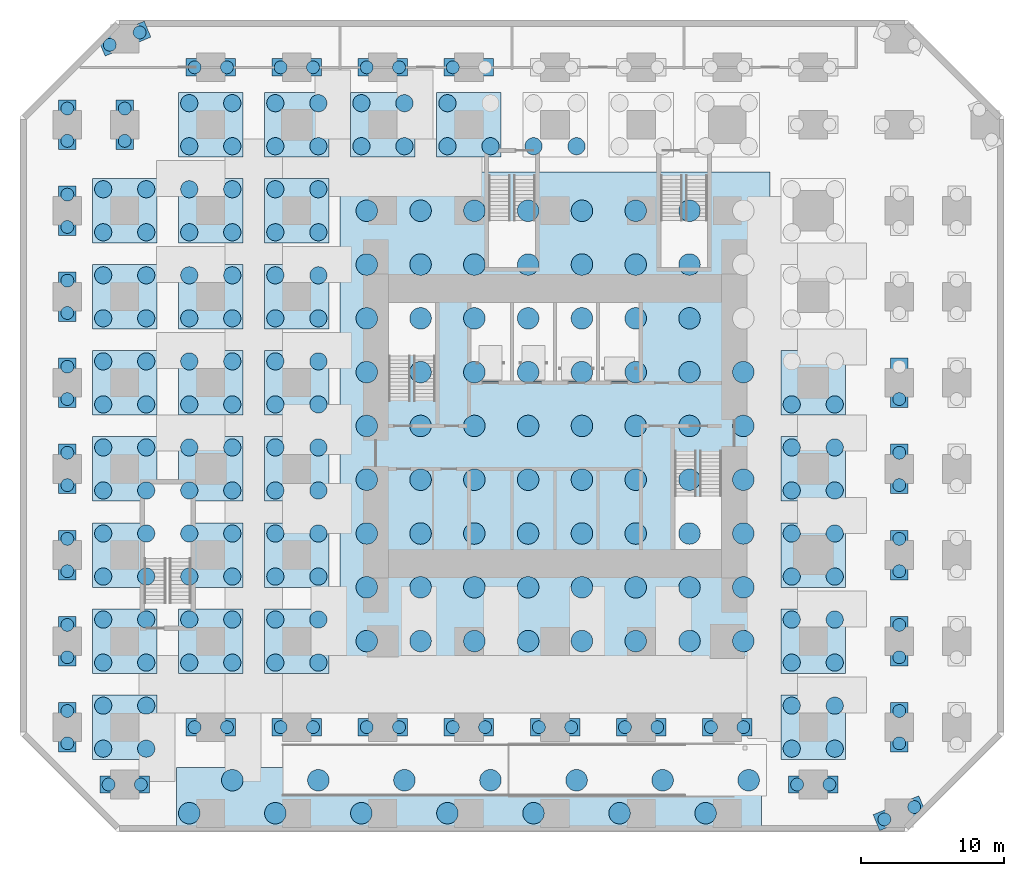
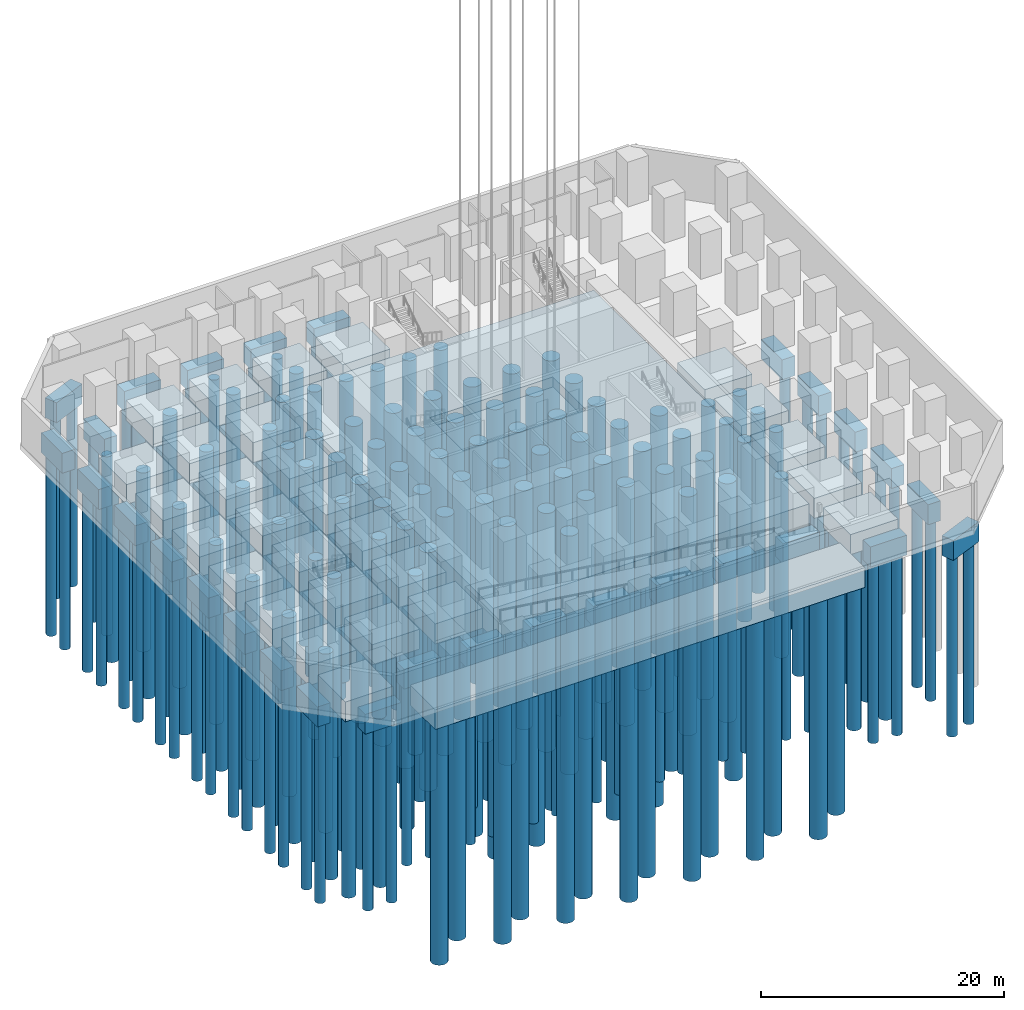
# One storey, part 1 of 11: 250 piles, 59 footings, 1 opening.
"""IFC4 building model written with IfcOpenShell, lengths in metres."""

from ifc_helpers import new_model, si_unit, direction, frame, frame_2d, origin, origin_2d, place, context, subcontext, project, spatial, polyline, rectangle, circle, outline, extrude, material, type_object, element, save


model = new_model("IFC4")

# Units and contexts
model_context = context("Model", 3, precision=1e-05, world=origin(), true_north=direction((0.0, 1.0)))
body_context = subcontext(model_context, "Body", "Model", "MODEL_VIEW")
ifc_project = project(units=[si_unit("LENGTHUNIT", "METRE"), si_unit("AREAUNIT", "SQUARE_METRE"), si_unit("VOLUMEUNIT", "CUBIC_METRE"), si_unit("PLANEANGLEUNIT", "RADIAN"), si_unit("MASSUNIT", "GRAM", prefix="KILO")], contexts=[model_context])

# Site, building, storey
site_placement = place(None, origin())
site = spatial("IfcSite", under=ifc_project, at=site_placement, CompositionType="ELEMENT")
building_placement = place(site_placement, origin())
building = spatial("IfcBuilding", under=site, at=building_placement, Name="Highveld Stack Headquarters", CompositionType="ELEMENT")
storey_placement = place(building_placement, frame((0.0, 0.0, -9.0)))
storey = spatial("IfcBuildingStorey", under=building, at=storey_placement, Name="B2", CompositionType="ELEMENT", Elevation=-9.0)

# Piles
ifc_material_1 = material(Name="Concrete C40/50", Category="concrete")
pile_type_1 = type_object("IfcPileType", Name="BORED PILE D1200", PredefinedType="BORED", material=ifc_material_1)
for number, where, z_axis, x_axis, name in (
    (1, (-25.5, -19.5, -2.5), (0.0, 0.0, -1.0), (1.0, 0.0, 0.0), "Bored pile PC1 2/B 1"),
    (2, (-22.5, -19.5, -2.5), (0.0, 0.0, -1.0), (1.0, 0.0, 0.0), "Bored pile PC1 2/B 2"),
    (3, (-25.5, -16.5, -2.5), (0.0, 0.0, -1.0), (1.0, 0.0, 0.0), "Bored pile PC1 2/B 3"),
    (4, (-22.5, -16.5, -2.5), (0.0, 0.0, -1.0), (1.0, 0.0, 0.0), "Bored pile PC1 2/B 4"),
    (5, (-25.5, -13.5, -2.5), (0.0, 0.0, -1.0), (1.0, 0.0, 0.0), "Bored pile PC1 2/C 1"),
    (6, (-22.5, -13.5, -2.5), (0.0, 0.0, -1.0), (1.0, 0.0, 0.0), "Bored pile PC1 2/C 2"),
    (7, (-25.5, -10.5, -2.5), (0.0, 0.0, -1.0), (1.0, 0.0, 0.0), "Bored pile PC1 2/C 3"),
    (8, (-22.5, -10.5, -2.5), (0.0, 0.0, -1.0), (1.0, 0.0, 0.0), "Bored pile PC1 2/C 4"),
    (9, (-25.5, -7.5, -2.5), (0.0, 0.0, -1.0), (1.0, 0.0, 0.0), "Bored pile PC1 2/D 1"),
    (10, (-22.5, -7.5, -2.5), (0.0, 0.0, -1.0), (1.0, 0.0, 0.0), "Bored pile PC1 2/D 2"),
    (11, (-25.5, -4.5, -2.5), (0.0, 0.0, -1.0), (1.0, 0.0, 0.0), "Bored pile PC1 2/D 3"),
    (12, (-22.5, -4.5, -2.5), (0.0, 0.0, -1.0), (1.0, 0.0, 0.0), "Bored pile PC1 2/D 4"),
    (13, (-25.5, -1.5, -2.5), (0.0, 0.0, -1.0), (1.0, 0.0, 0.0), "Bored pile PC1 2/E 1"),
    (14, (-22.5, -1.5, -2.5), (0.0, 0.0, -1.0), (1.0, 0.0, 0.0), "Bored pile PC1 2/E 2"),
    (15, (-25.5, 1.5, -2.5), (0.0, 0.0, -1.0), (1.0, 0.0, 0.0), "Bored pile PC1 2/E 3"),
    (16, (-22.5, 1.5, -2.5), (0.0, 0.0, -1.0), (1.0, 0.0, 0.0), "Bored pile PC1 2/E 4"),
    (17, (-25.5, 4.5, -2.5), (0.0, 0.0, -1.0), (1.0, 0.0, 0.0), "Bored pile PC1 2/F 1"),
    (18, (-22.5, 4.5, -2.5), (0.0, 0.0, -1.0), (1.0, 0.0, 0.0), "Bored pile PC1 2/F 2"),
    (19, (-25.5, 7.5, -2.5), (0.0, 0.0, -1.0), (1.0, 0.0, 0.0), "Bored pile PC1 2/F 3"),
    (20, (-22.5, 7.5, -2.5), (0.0, 0.0, -1.0), (1.0, 0.0, 0.0), "Bored pile PC1 2/F 4"),
    (21, (-25.5, 10.5, -2.5), (0.0, 0.0, -1.0), (1.0, 0.0, 0.0), "Bored pile PC1 2/G 1"),
    (22, (-22.5, 10.5, -2.5), (0.0, 0.0, -1.0), (1.0, 0.0, 0.0), "Bored pile PC1 2/G 2"),
    (23, (-25.5, 13.5, -2.5), (0.0, 0.0, -1.0), (1.0, 0.0, 0.0), "Bored pile PC1 2/G 3"),
    (24, (-22.5, 13.5, -2.5), (0.0, 0.0, -1.0), (1.0, 0.0, 0.0), "Bored pile PC1 2/G 4"),
    (25, (-25.5, 16.5, -2.5), (0.0, 0.0, -1.0), (1.0, 0.0, 0.0), "Bored pile PC1 2/H 1"),
    (26, (-22.5, 16.5, -2.5), (0.0, 0.0, -1.0), (1.0, 0.0, 0.0), "Bored pile PC1 2/H 2"),
    (27, (-25.5, 19.5, -2.5), (0.0, 0.0, -1.0), (1.0, 0.0, 0.0), "Bored pile PC1 2/H 3"),
    (28, (-22.5, 19.5, -2.5), (0.0, 0.0, -1.0), (1.0, 0.0, 0.0), "Bored pile PC1 2/H 4"),
    (29, (-19.5, -13.5, -2.5), (0.0, 0.0, -1.0), (1.0, 0.0, 0.0), "Bored pile PC1 3/C 1"),
    (30, (-16.5, -13.5, -2.5), (0.0, 0.0, -1.0), (1.0, 0.0, 0.0), "Bored pile PC1 3/C 2"),
    (31, (-19.5, -10.5, -2.5), (0.0, 0.0, -1.0), (1.0, 0.0, 0.0), "Bored pile PC1 3/C 3"),
    (32, (-16.5, -10.5, -2.5), (0.0, 0.0, -1.0), (1.0, 0.0, 0.0), "Bored pile PC1 3/C 4"),
    (33, (-19.5, -7.5, -2.5), (0.0, 0.0, -1.0), (1.0, 0.0, 0.0), "Bored pile PC1 3/D 1"),
    (34, (-16.5, -7.5, -2.5), (0.0, 0.0, -1.0), (1.0, 0.0, 0.0), "Bored pile PC1 3/D 2"),
    (35, (-19.5, -4.5, -2.5), (0.0, 0.0, -1.0), (1.0, 0.0, 0.0), "Bored pile PC1 3/D 3"),
    (36, (-16.5, -4.5, -2.5), (0.0, 0.0, -1.0), (1.0, 0.0, 0.0), "Bored pile PC1 3/D 4"),
    (37, (-19.5, -1.5, -2.5), (0.0, 0.0, -1.0), (1.0, 0.0, 0.0), "Bored pile PC1 3/E 1"),
    (38, (-16.5, -1.5, -2.5), (0.0, 0.0, -1.0), (1.0, 0.0, 0.0), "Bored pile PC1 3/E 2"),
    (39, (-19.5, 1.5, -2.5), (0.0, 0.0, -1.0), (1.0, 0.0, 0.0), "Bored pile PC1 3/E 3"),
    (40, (-16.5, 1.5, -2.5), (0.0, 0.0, -1.0), (1.0, 0.0, 0.0), "Bored pile PC1 3/E 4"),
    (41, (-19.5, 4.5, -2.5), (0.0, 0.0, -1.0), (1.0, 0.0, 0.0), "Bored pile PC1 3/F 1"),
    (42, (-16.5, 4.5, -2.5), (0.0, 0.0, -1.0), (1.0, 0.0, 0.0), "Bored pile PC1 3/F 2"),
    (43, (-19.5, 7.5, -2.5), (0.0, 0.0, -1.0), (1.0, 0.0, 0.0), "Bored pile PC1 3/F 3"),
    (44, (-16.5, 7.5, -2.5), (0.0, 0.0, -1.0), (1.0, 0.0, 0.0), "Bored pile PC1 3/F 4"),
    (45, (-19.5, 10.5, -2.5), (0.0, 0.0, -1.0), (1.0, 0.0, 0.0), "Bored pile PC1 3/G 1"),
    (46, (-16.5, 10.5, -2.5), (0.0, 0.0, -1.0), (1.0, 0.0, 0.0), "Bored pile PC1 3/G 2"),
    (47, (-19.5, 13.5, -2.5), (0.0, 0.0, -1.0), (1.0, 0.0, 0.0), "Bored pile PC1 3/G 3"),
    (48, (-16.5, 13.5, -2.5), (0.0, 0.0, -1.0), (1.0, 0.0, 0.0), "Bored pile PC1 3/G 4"),
    (49, (-19.5, 16.5, -2.5), (0.0, 0.0, -1.0), (1.0, 0.0, 0.0), "Bored pile PC1 3/H 1"),
    (50, (-16.5, 16.5, -2.5), (0.0, 0.0, -1.0), (1.0, 0.0, 0.0), "Bored pile PC1 3/H 2"),
    (51, (-19.5, 19.5, -2.5), (0.0, 0.0, -1.0), (1.0, 0.0, 0.0), "Bored pile PC1 3/H 3"),
    (52, (-16.5, 19.5, -2.5), (0.0, 0.0, -1.0), (1.0, 0.0, 0.0), "Bored pile PC1 3/H 4"),
    (53, (-19.5, 22.5, -2.5), (0.0, 0.0, -1.0), (1.0, 0.0, 0.0), "Bored pile PC1 3/J 1"),
    (54, (-16.5, 22.5, -2.5), (0.0, 0.0, -1.0), (1.0, 0.0, 0.0), "Bored pile PC1 3/J 2"),
    (55, (-19.5, 25.5, -2.5), (0.0, 0.0, -1.0), (1.0, 0.0, 0.0), "Bored pile PC1 3/J 3"),
    (56, (-16.5, 25.5, -2.5), (0.0, 0.0, -1.0), (1.0, 0.0, 0.0), "Bored pile PC1 3/J 4"),
    (57, (-13.5, -13.5, -2.5), (0.0, 0.0, -1.0), (1.0, 0.0, 0.0), "Bored pile PC1 4/C 1"),
    (58, (-10.5, -13.5, -2.5), (0.0, 0.0, -1.0), (1.0, 0.0, 0.0), "Bored pile PC1 4/C 2"),
    (59, (-13.5, -10.5, -2.5), (0.0, 0.0, -1.0), (1.0, 0.0, 0.0), "Bored pile PC1 4/C 3"),
    (60, (-10.5, -10.5, -2.5), (0.0, 0.0, -1.0), (1.0, 0.0, 0.0), "Bored pile PC1 4/C 4"),
    (61, (-13.5, -7.5, -2.5), (0.0, 0.0, -1.0), (1.0, 0.0, 0.0), "Bored pile PC1 4/D 1"),
    (62, (-10.5, -7.5, -2.5), (0.0, 0.0, -1.0), (1.0, 0.0, 0.0), "Bored pile PC1 4/D 2"),
    (63, (-13.5, -4.5, -2.5), (0.0, 0.0, -1.0), (1.0, 0.0, 0.0), "Bored pile PC1 4/D 3"),
    (64, (-10.5, -4.5, -2.5), (0.0, 0.0, -1.0), (1.0, 0.0, 0.0), "Bored pile PC1 4/D 4"),
    (65, (-13.5, -1.5, -2.5), (0.0, 0.0, -1.0), (1.0, 0.0, 0.0), "Bored pile PC1 4/E 1"),
    (66, (-10.5, -1.5, -2.5), (0.0, 0.0, -1.0), (1.0, 0.0, 0.0), "Bored pile PC1 4/E 2"),
    (67, (-13.5, 1.5, -2.5), (0.0, 0.0, -1.0), (1.0, 0.0, 0.0), "Bored pile PC1 4/E 3"),
    (68, (-10.5, 1.5, -2.5), (0.0, 0.0, -1.0), (1.0, 0.0, 0.0), "Bored pile PC1 4/E 4"),
    (69, (-13.5, 4.5, -2.5), (0.0, 0.0, -1.0), (1.0, 0.0, 0.0), "Bored pile PC1 4/F 1"),
    (70, (-10.5, 4.5, -2.5), (0.0, 0.0, -1.0), (1.0, 0.0, 0.0), "Bored pile PC1 4/F 2"),
    (71, (-13.5, 7.5, -2.5), (0.0, 0.0, -1.0), (1.0, 0.0, 0.0), "Bored pile PC1 4/F 3"),
    (72, (-10.5, 7.5, -2.5), (0.0, 0.0, -1.0), (1.0, 0.0, 0.0), "Bored pile PC1 4/F 4"),
    (73, (-13.5, 10.5, -2.5), (0.0, 0.0, -1.0), (1.0, 0.0, 0.0), "Bored pile PC1 4/G 1"),
    (74, (-10.5, 10.5, -2.5), (0.0, 0.0, -1.0), (1.0, 0.0, 0.0), "Bored pile PC1 4/G 2"),
    (75, (-13.5, 13.5, -2.5), (0.0, 0.0, -1.0), (1.0, 0.0, 0.0), "Bored pile PC1 4/G 3"),
    (76, (-10.5, 13.5, -2.5), (0.0, 0.0, -1.0), (1.0, 0.0, 0.0), "Bored pile PC1 4/G 4"),
    (77, (-13.5, 16.5, -2.5), (0.0, 0.0, -1.0), (1.0, 0.0, 0.0), "Bored pile PC1 4/H 1"),
    (78, (-10.5, 16.5, -2.5), (0.0, 0.0, -1.0), (1.0, 0.0, 0.0), "Bored pile PC1 4/H 2"),
    (79, (-13.5, 19.5, -2.5), (0.0, 0.0, -1.0), (1.0, 0.0, 0.0), "Bored pile PC1 4/H 3"),
    (80, (-10.5, 19.5, -2.5), (0.0, 0.0, -1.0), (1.0, 0.0, 0.0), "Bored pile PC1 4/H 4"),
    (81, (-13.5, 22.5, -2.5), (0.0, 0.0, -1.0), (1.0, 0.0, 0.0), "Bored pile PC1 4/J 1"),
    (82, (-10.5, 22.5, -2.5), (0.0, 0.0, -1.0), (1.0, 0.0, 0.0), "Bored pile PC1 4/J 2"),
    (83, (-13.5, 25.5, -2.5), (0.0, 0.0, -1.0), (1.0, 0.0, 0.0), "Bored pile PC1 4/J 3"),
    (84, (-10.5, 25.5, -2.5), (0.0, 0.0, -1.0), (1.0, 0.0, 0.0), "Bored pile PC1 4/J 4"),
    (85, (-7.5, 22.5, -2.5), (0.0, 0.0, -1.0), (1.0, 0.0, 0.0), "Bored pile PC1 5/J 1"),
    (86, (-4.5, 22.5, -2.5), (0.0, 0.0, -1.0), (1.0, 0.0, 0.0), "Bored pile PC1 5/J 2"),
    (87, (-7.5, 25.5, -2.5), (0.0, 0.0, -1.0), (1.0, 0.0, 0.0), "Bored pile PC1 5/J 3"),
    (88, (-4.5, 25.5, -2.5), (0.0, 0.0, -1.0), (1.0, 0.0, 0.0), "Bored pile PC1 5/J 4"),
    (89, (-1.5, 22.5, -2.5), (0.0, 0.0, -1.0), (1.0, 0.0, 0.0), "Bored pile PC1 6/J 1"),
    (90, (1.5, 22.5, -2.5), (0.0, 0.0, -1.0), (1.0, 0.0, 0.0), "Bored pile PC1 6/J 2"),
    (91, (-1.5, 25.5, -2.5), (0.0, 0.0, -1.0), (1.0, 0.0, 0.0), "Bored pile PC1 6/J 3"),
    (92, (4.5, 22.5, -2.5), (0.0, 0.0, -1.0), (1.0, 0.0, 0.0), "Bored pile PC1 7/J 1"),
    (93, (7.5, 22.5, -2.5), (0.0, 0.0, -1.0), (1.0, 0.0, 0.0), "Bored pile PC1 7/J 2"),
    (94, (22.5, -19.5, -2.5), (0.0, 0.0, -1.0), (1.0, 0.0, 0.0), "Bored pile PC1 10/B 1"),
    (95, (25.5, -19.5, -2.5), (0.0, 0.0, -1.0), (1.0, 0.0, 0.0), "Bored pile PC1 10/B 2"),
    (96, (22.5, -16.5, -2.5), (0.0, 0.0, -1.0), (1.0, 0.0, 0.0), "Bored pile PC1 10/B 3"),
    (97, (25.5, -16.5, -2.5), (0.0, 0.0, -1.0), (1.0, 0.0, 0.0), "Bored pile PC1 10/B 4"),
    (98, (22.5, -13.5, -2.5), (0.0, 0.0, -1.0), (1.0, 0.0, 0.0), "Bored pile PC1 10/C 1"),
    (99, (25.5, -13.5, -2.5), (0.0, 0.0, -1.0), (1.0, 0.0, 0.0), "Bored pile PC1 10/C 2"),
    (100, (22.5, -10.5, -2.5), (0.0, 0.0, -1.0), (1.0, 0.0, 0.0), "Bored pile PC1 10/C 3"),
    (101, (25.5, -10.5, -2.5), (0.0, 0.0, -1.0), (1.0, 0.0, 0.0), "Bored pile PC1 10/C 4"),
    (102, (22.5, -7.5, -2.5), (0.0, 0.0, -1.0), (1.0, 0.0, 0.0), "Bored pile PC1 10/D 1"),
    (103, (25.5, -7.5, -2.5), (0.0, 0.0, -1.0), (1.0, 0.0, 0.0), "Bored pile PC1 10/D 2"),
    (104, (22.5, -4.5, -2.5), (0.0, 0.0, -1.0), (1.0, 0.0, 0.0), "Bored pile PC1 10/D 3"),
    (105, (25.5, -4.5, -2.5), (0.0, 0.0, -1.0), (1.0, 0.0, 0.0), "Bored pile PC1 10/D 4"),
    (106, (22.5, -1.5, -2.5), (0.0, 0.0, -1.0), (1.0, 0.0, 0.0), "Bored pile PC1 10/E 1"),
    (107, (25.5, -1.5, -2.5), (0.0, 0.0, -1.0), (1.0, 0.0, 0.0), "Bored pile PC1 10/E 2"),
    (108, (22.5, 1.5, -2.5), (0.0, 0.0, -1.0), (1.0, 0.0, 0.0), "Bored pile PC1 10/E 3"),
    (109, (25.5, 1.5, -2.5), (0.0, 0.0, -1.0), (1.0, 0.0, 0.0), "Bored pile PC1 10/E 4"),
    (110, (22.5, 4.5, -2.5), (0.0, 0.0, -1.0), (1.0, 0.0, 0.0), "Bored pile PC1 10/F 1"),
    (111, (25.5, 4.5, -2.5), (0.0, 0.0, -1.0), (1.0, 0.0, 0.0), "Bored pile PC1 10/F 2"),
):
    element("IfcPile", number, at=place(storey_placement, frame(where, z_axis=z_axis, x_axis=x_axis)), inside=storey, type_object=pile_type_1, Name=name, PredefinedType="BORED", context=body_context, shape_type="SweptSolid", body=[
        extrude(circle(Radius=0.60009765625, at=origin_2d()), origin(), (0.0, 0.0, 1.0), 18.0),
    ])
ifc_material_2 = material(Name="Concrete C50/60", Category="concrete")
pile_type_2 = type_object("IfcPileType", Name="BORED PILE D1500", PredefinedType="BORED", material=ifc_material_2)
for number, where, z_axis, x_axis, name in (
    (112, (-19.5, -24.0, -2.5), (0.0, 0.0, -1.0), (1.0, 0.0, 0.0), "Bored pile PC4 3/A 1"),
    (113, (-16.5, -21.699951171875, -2.5), (0.0, 0.0, -1.0), (1.0, 0.0, 0.0), "Bored pile PC4 3/A 2"),
    (114, (-13.5, -24.0, -2.5), (0.0, 0.0, -1.0), (1.0, 0.0, 0.0), "Bored pile PC4 4/A 1"),
    (115, (-10.5, -21.699951171875, -2.5), (0.0, 0.0, -1.0), (1.0, 0.0, 0.0), "Bored pile PC4 4/A 2"),
    (116, (-7.5, -24.0, -2.5), (0.0, 0.0, -1.0), (1.0, 0.0, 0.0), "Bored pile PC4 5/A 1"),
    (117, (-4.5, -21.699951171875, -2.5), (0.0, 0.0, -1.0), (1.0, 0.0, 0.0), "Bored pile PC4 5/A 2"),
    (118, (-1.5, -24.0, -2.5), (0.0, 0.0, -1.0), (1.0, 0.0, 0.0), "Bored pile PC4 6/A 1"),
    (119, (1.5, -21.699951171875, -2.5), (0.0, 0.0, -1.0), (1.0, 0.0, 0.0), "Bored pile PC4 6/A 2"),
    (120, (4.5, -24.0, -2.5), (0.0, 0.0, -1.0), (1.0, 0.0, 0.0), "Bored pile PC4 7/A 1"),
    (121, (7.5, -21.699951171875, -2.5), (0.0, 0.0, -1.0), (1.0, 0.0, 0.0), "Bored pile PC4 7/A 2"),
    (122, (10.5, -24.0, -2.5), (0.0, 0.0, -1.0), (1.0, 0.0, 0.0), "Bored pile PC4 8/A 1"),
    (123, (13.5, -21.699951171875, -2.5), (0.0, 0.0, -1.0), (1.0, 0.0, 0.0), "Bored pile PC4 8/A 2"),
    (124, (16.5, -24.0, -2.5), (0.0, 0.0, -1.0), (1.0, 0.0, 0.0), "Bored pile PC4 9/A 1"),
    (125, (19.5, -21.699951171875, -2.5), (0.0, 0.0, -1.0), (1.0, 0.0, 0.0), "Bored pile PC4 9/A 2"),
    (126, (-7.125, -12.0, -3.5), (0.0, 0.0, -1.0), (1.0, 0.0, 0.0), "Bored pile CR1 1"),
    (127, (-7.125, -8.25, -3.5), (0.0, 0.0, -1.0), (1.0, 0.0, 0.0), "Bored pile CR1 2"),
    (128, (-7.125, -4.5, -3.5), (0.0, 0.0, -1.0), (1.0, 0.0, 0.0), "Bored pile CR1 3"),
    (129, (-7.125, -0.75, -3.5), (0.0, 0.0, -1.0), (1.0, 0.0, 0.0), "Bored pile CR1 4"),
    (130, (-7.125, 3.0, -3.5), (0.0, 0.0, -1.0), (1.0, 0.0, 0.0), "Bored pile CR1 5"),
    (131, (-7.125, 6.75, -3.5), (0.0, 0.0, -1.0), (1.0, 0.0, 0.0), "Bored pile CR1 6"),
    (132, (-7.125, 10.5, -3.5), (0.0, 0.0, -1.0), (1.0, 0.0, 0.0), "Bored pile CR1 7"),
    (133, (-7.125, 14.25, -3.5), (0.0, 0.0, -1.0), (1.0, 0.0, 0.0), "Bored pile CR1 8"),
    (134, (-7.125, 18.0, -3.5), (0.0, 0.0, -1.0), (1.0, 0.0, 0.0), "Bored pile CR1 9"),
    (135, (-3.375, -12.0, -3.5), (0.0, 0.0, -1.0), (1.0, 0.0, 0.0), "Bored pile CR1 10"),
    (136, (-3.375, -8.25, -3.5), (0.0, 0.0, -1.0), (1.0, 0.0, 0.0), "Bored pile CR1 11"),
    (137, (-3.375, -4.5, -3.5), (0.0, 0.0, -1.0), (1.0, 0.0, 0.0), "Bored pile CR1 12"),
    (138, (-3.375, -0.75, -3.5), (0.0, 0.0, -1.0), (1.0, 0.0, 0.0), "Bored pile CR1 13"),
    (139, (-3.375, 3.0, -3.5), (0.0, 0.0, -1.0), (1.0, 0.0, 0.0), "Bored pile CR1 14"),
    (140, (-3.375, 6.75, -3.5), (0.0, 0.0, -1.0), (1.0, 0.0, 0.0), "Bored pile CR1 15"),
    (141, (-3.375, 10.5, -3.5), (0.0, 0.0, -1.0), (1.0, 0.0, 0.0), "Bored pile CR1 16"),
    (142, (-3.375, 14.25, -3.5), (0.0, 0.0, -1.0), (1.0, 0.0, 0.0), "Bored pile CR1 17"),
    (143, (-3.375, 18.0, -3.5), (0.0, 0.0, -1.0), (1.0, 0.0, 0.0), "Bored pile CR1 18"),
    (144, (0.375, -12.0, -3.5), (0.0, 0.0, -1.0), (1.0, 0.0, 0.0), "Bored pile CR1 19"),
    (145, (0.375, -8.25, -3.5), (0.0, 0.0, -1.0), (1.0, 0.0, 0.0), "Bored pile CR1 20"),
    (146, (0.375, -4.5, -3.5), (0.0, 0.0, -1.0), (1.0, 0.0, 0.0), "Bored pile CR1 21"),
    (147, (0.375, -0.75, -3.5), (0.0, 0.0, -1.0), (1.0, 0.0, 0.0), "Bored pile CR1 22"),
    (148, (0.375, 3.0, -3.5), (0.0, 0.0, -1.0), (1.0, 0.0, 0.0), "Bored pile CR1 23"),
    (149, (0.375, 6.75, -3.5), (0.0, 0.0, -1.0), (1.0, 0.0, 0.0), "Bored pile CR1 24"),
    (150, (0.375, 10.5, -3.5), (0.0, 0.0, -1.0), (1.0, 0.0, 0.0), "Bored pile CR1 25"),
    (151, (0.375, 14.25, -3.5), (0.0, 0.0, -1.0), (1.0, 0.0, 0.0), "Bored pile CR1 26"),
    (152, (0.375, 18.0, -3.5), (0.0, 0.0, -1.0), (1.0, 0.0, 0.0), "Bored pile CR1 27"),
    (153, (4.125, -12.0, -3.5), (0.0, 0.0, -1.0), (1.0, 0.0, 0.0), "Bored pile CR1 28"),
    (154, (4.125, -8.25, -3.5), (0.0, 0.0, -1.0), (1.0, 0.0, 0.0), "Bored pile CR1 29"),
    (155, (4.125, -4.5, -3.5), (0.0, 0.0, -1.0), (1.0, 0.0, 0.0), "Bored pile CR1 30"),
    (156, (4.125, -0.75, -3.5), (0.0, 0.0, -1.0), (1.0, 0.0, 0.0), "Bored pile CR1 31"),
    (157, (4.125, 3.0, -3.5), (0.0, 0.0, -1.0), (1.0, 0.0, 0.0), "Bored pile CR1 32"),
    (158, (4.125, 6.75, -3.5), (0.0, 0.0, -1.0), (1.0, 0.0, 0.0), "Bored pile CR1 33"),
    (159, (4.125, 10.5, -3.5), (0.0, 0.0, -1.0), (1.0, 0.0, 0.0), "Bored pile CR1 34"),
    (160, (4.125, 14.25, -3.5), (0.0, 0.0, -1.0), (1.0, 0.0, 0.0), "Bored pile CR1 35"),
    (161, (4.125, 18.0, -3.5), (0.0, 0.0, -1.0), (1.0, 0.0, 0.0), "Bored pile CR1 36"),
    (162, (7.875, -12.0, -3.5), (0.0, 0.0, -1.0), (1.0, 0.0, 0.0), "Bored pile CR1 37"),
    (163, (7.875, -8.25, -3.5), (0.0, 0.0, -1.0), (1.0, 0.0, 0.0), "Bored pile CR1 38"),
    (164, (7.875, -4.5, -3.5), (0.0, 0.0, -1.0), (1.0, 0.0, 0.0), "Bored pile CR1 39"),
    (165, (7.875, -0.75, -3.5), (0.0, 0.0, -1.0), (1.0, 0.0, 0.0), "Bored pile CR1 40"),
    (166, (7.875, 3.0, -3.5), (0.0, 0.0, -1.0), (1.0, 0.0, 0.0), "Bored pile CR1 41"),
    (167, (7.875, 6.75, -3.5), (0.0, 0.0, -1.0), (1.0, 0.0, 0.0), "Bored pile CR1 42"),
    (168, (7.875, 10.5, -3.5), (0.0, 0.0, -1.0), (1.0, 0.0, 0.0), "Bored pile CR1 43"),
    (169, (7.875, 14.25, -3.5), (0.0, 0.0, -1.0), (1.0, 0.0, 0.0), "Bored pile CR1 44"),
    (170, (7.875, 18.0, -3.5), (0.0, 0.0, -1.0), (1.0, 0.0, 0.0), "Bored pile CR1 45"),
    (171, (11.625, -12.0, -3.5), (0.0, 0.0, -1.0), (1.0, 0.0, 0.0), "Bored pile CR1 46"),
    (172, (11.625, -8.25, -3.5), (0.0, 0.0, -1.0), (1.0, 0.0, 0.0), "Bored pile CR1 47"),
    (173, (11.625, -4.5, -3.5), (0.0, 0.0, -1.0), (1.0, 0.0, 0.0), "Bored pile CR1 48"),
    (174, (11.625, -0.75, -3.5), (0.0, 0.0, -1.0), (1.0, 0.0, 0.0), "Bored pile CR1 49"),
    (175, (11.625, 3.0, -3.5), (0.0, 0.0, -1.0), (1.0, 0.0, 0.0), "Bored pile CR1 50"),
    (176, (11.625, 6.75, -3.5), (0.0, 0.0, -1.0), (1.0, 0.0, 0.0), "Bored pile CR1 51"),
    (177, (11.625, 10.5, -3.5), (0.0, 0.0, -1.0), (1.0, 0.0, 0.0), "Bored pile CR1 52"),
    (178, (11.625, 14.25, -3.5), (0.0, 0.0, -1.0), (1.0, 0.0, 0.0), "Bored pile CR1 53"),
    (179, (11.625, 18.0, -3.5), (0.0, 0.0, -1.0), (1.0, 0.0, 0.0), "Bored pile CR1 54"),
    (180, (15.375, -12.0, -3.5), (0.0, 0.0, -1.0), (1.0, 0.0, 0.0), "Bored pile CR1 55"),
    (181, (15.375, -8.25, -3.5), (0.0, 0.0, -1.0), (1.0, 0.0, 0.0), "Bored pile CR1 56"),
    (182, (15.375, -4.5, -3.5), (0.0, 0.0, -1.0), (1.0, 0.0, 0.0), "Bored pile CR1 57"),
    (183, (15.375, -0.75, -3.5), (0.0, 0.0, -1.0), (1.0, 0.0, 0.0), "Bored pile CR1 58"),
    (184, (15.375, 3.0, -3.5), (0.0, 0.0, -1.0), (1.0, 0.0, 0.0), "Bored pile CR1 59"),
    (185, (15.375, 6.75, -3.5), (0.0, 0.0, -1.0), (1.0, 0.0, 0.0), "Bored pile CR1 60"),
    (186, (15.375, 10.5, -3.5), (0.0, 0.0, -1.0), (1.0, 0.0, 0.0), "Bored pile CR1 61"),
    (187, (15.375, 14.25, -3.5), (0.0, 0.0, -1.0), (1.0, 0.0, 0.0), "Bored pile CR1 62"),
    (188, (15.375, 18.0, -3.5), (0.0, 0.0, -1.0), (1.0, 0.0, 0.0), "Bored pile CR1 63"),
    (189, (19.125, -12.0, -3.5), (0.0, 0.0, -1.0), (1.0, 0.0, 0.0), "Bored pile CR1 64"),
    (190, (19.125, -8.25, -3.5), (0.0, 0.0, -1.0), (1.0, 0.0, 0.0), "Bored pile CR1 65"),
    (191, (19.125, -4.5, -3.5), (0.0, 0.0, -1.0), (1.0, 0.0, 0.0), "Bored pile CR1 66"),
    (192, (19.125, -0.75, -3.5), (0.0, 0.0, -1.0), (1.0, 0.0, 0.0), "Bored pile CR1 67"),
    (193, (19.125, 3.0, -3.5), (0.0, 0.0, -1.0), (1.0, 0.0, 0.0), "Bored pile CR1 68"),
    (194, (19.125, 6.75, -3.5), (0.0, 0.0, -1.0), (1.0, 0.0, 0.0), "Bored pile CR1 69"),
):
    element("IfcPile", number, at=place(storey_placement, frame(where, z_axis=z_axis, x_axis=x_axis)), inside=storey, type_object=pile_type_2, Name=name, PredefinedType="BORED", context=body_context, shape_type="SweptSolid", body=[
        extrude(circle(Radius=0.75, at=origin_2d()), origin(), (0.0, 0.0, 1.0), 24.0),
    ])
ifc_material_3 = material(Name="Concrete C40/50", Category="concrete")
pile_type_3 = type_object("IfcPileType", Name="BORED PILE D900", PredefinedType="BORED", material=ifc_material_3)
for number, where, z_axis, x_axis, name in (
    (195, (-28.0, -19.125, -2.5), (0.0, 0.0, -1.0), (1.0, 0.0, 0.0), "Bored pile PC2 -28.0/B 1"),
    (196, (-28.0, -16.875, -2.5), (0.0, 0.0, -1.0), (1.0, 0.0, 0.0), "Bored pile PC2 -28.0/B 2"),
    (197, (-28.0, -13.125, -2.5), (0.0, 0.0, -1.0), (1.0, 0.0, 0.0), "Bored pile PC2 -28.0/C 1"),
    (198, (-28.0, -10.875, -2.5), (0.0, 0.0, -1.0), (1.0, 0.0, 0.0), "Bored pile PC2 -28.0/C 2"),
    (199, (-28.0, -7.125, -2.5), (0.0, 0.0, -1.0), (1.0, 0.0, 0.0), "Bored pile PC2 -28.0/D 1"),
    (200, (-28.0, -4.875, -2.5), (0.0, 0.0, -1.0), (1.0, 0.0, 0.0), "Bored pile PC2 -28.0/D 2"),
    (201, (-28.0, -1.125, -2.5), (0.0, 0.0, -1.0), (1.0, 0.0, 0.0), "Bored pile PC2 -28.0/E 1"),
    (202, (-28.0, 1.125, -2.5), (0.0, 0.0, -1.0), (1.0, 0.0, 0.0), "Bored pile PC2 -28.0/E 2"),
    (203, (-28.0, 4.875, -2.5), (0.0, 0.0, -1.0), (1.0, 0.0, 0.0), "Bored pile PC2 -28.0/F 1"),
    (204, (-28.0, 7.125, -2.5), (0.0, 0.0, -1.0), (1.0, 0.0, 0.0), "Bored pile PC2 -28.0/F 2"),
    (205, (-28.0, 10.875, -2.5), (0.0, 0.0, -1.0), (1.0, 0.0, 0.0), "Bored pile PC2 -28.0/G 1"),
    (206, (-28.0, 13.125, -2.5), (0.0, 0.0, -1.0), (1.0, 0.0, 0.0), "Bored pile PC2 -28.0/G 2"),
    (207, (-28.0, 16.875, -2.5), (0.0, 0.0, -1.0), (1.0, 0.0, 0.0), "Bored pile PC2 -28.0/H 1"),
    (208, (-28.0, 19.125, -2.5), (0.0, 0.0, -1.0), (1.0, 0.0, 0.0), "Bored pile PC2 -28.0/H 2"),
    (209, (-28.0, 22.875, -2.5), (0.0, 0.0, -1.0), (1.0, 0.0, 0.0), "Bored pile PC2 -28.0/J 1"),
    (210, (-28.0, 25.125, -2.5), (0.0, 0.0, -1.0), (1.0, 0.0, 0.0), "Bored pile PC2 -28.0/J 2"),
    (211, (-25.125, -22.0, -2.5), (0.0, 0.0, -1.0), (1.0, 0.0, 0.0), "Bored pile PC2 2/-22.0 1"),
    (212, (-22.875, -22.0, -2.5), (0.0, 0.0, -1.0), (1.0, 0.0, 0.0), "Bored pile PC2 2/-22.0 2"),
    (213, (-24.0, 22.875, -2.5), (0.0, 0.0, -1.0), (1.0, 0.0, 0.0), "Bored pile PC2 2/J 1"),
    (214, (-24.0, 25.125, -2.5), (0.0, 0.0, -1.0), (1.0, 0.0, 0.0), "Bored pile PC2 2/J 2"),
    (215, (-22.960693359375, 30.430419921875, -2.5), (0.0, 0.0, -1.0), (1.0, 0.0, 0.0), "Bored pile PC2 2/K 1"),
    (216, (-25.039306640625, 29.569580078125, -2.5), (0.0, 0.0, -1.0), (1.0, 0.0, 0.0), "Bored pile PC2 2/K 2"),
    (217, (-19.125, -18.0, -2.5), (0.0, 0.0, -1.0), (1.0, 0.0, 0.0), "Bored pile PC2 3/B 1"),
    (218, (-16.875, -18.0, -2.5), (0.0, 0.0, -1.0), (1.0, 0.0, 0.0), "Bored pile PC2 3/B 2"),
    (219, (-19.125, 28.0, -2.5), (0.0, 0.0, -1.0), (1.0, 0.0, 0.0), "Bored pile PC2 3/28.0 1"),
    (220, (-16.875, 28.0, -2.5), (0.0, 0.0, -1.0), (1.0, 0.0, 0.0), "Bored pile PC2 3/28.0 2"),
    (221, (-13.125, -18.0, -2.5), (0.0, 0.0, -1.0), (1.0, 0.0, 0.0), "Bored pile PC2 4/B 1"),
    (222, (-10.875, -18.0, -2.5), (0.0, 0.0, -1.0), (1.0, 0.0, 0.0), "Bored pile PC2 4/B 2"),
    (223, (-13.125, 28.0, -2.5), (0.0, 0.0, -1.0), (1.0, 0.0, 0.0), "Bored pile PC2 4/28.0 1"),
    (224, (-10.875, 28.0, -2.5), (0.0, 0.0, -1.0), (1.0, 0.0, 0.0), "Bored pile PC2 4/28.0 2"),
    (225, (-7.125, -18.0, -2.5), (0.0, 0.0, -1.0), (1.0, 0.0, 0.0), "Bored pile PC2 5/B 1"),
    (226, (-4.875, -18.0, -2.5), (0.0, 0.0, -1.0), (1.0, 0.0, 0.0), "Bored pile PC2 5/B 2"),
    (227, (-7.125, 28.0, -2.5), (0.0, 0.0, -1.0), (1.0, 0.0, 0.0), "Bored pile PC2 5/28.0 1"),
    (228, (-4.875, 28.0, -2.5), (0.0, 0.0, -1.0), (1.0, 0.0, 0.0), "Bored pile PC2 5/28.0 2"),
    (229, (-1.125, -18.0, -2.5), (0.0, 0.0, -1.0), (1.0, 0.0, 0.0), "Bored pile PC2 6/B 1"),
    (230, (1.125, -18.0, -2.5), (0.0, 0.0, -1.0), (1.0, 0.0, 0.0), "Bored pile PC2 6/B 2"),
    (231, (-1.125, 28.0, -2.5), (0.0, 0.0, -1.0), (1.0, 0.0, 0.0), "Bored pile PC2 6/28.0 1"),
    (232, (4.875, -18.0, -2.5), (0.0, 0.0, -1.0), (1.0, 0.0, 0.0), "Bored pile PC2 7/B 1"),
    (233, (7.125, -18.0, -2.5), (0.0, 0.0, -1.0), (1.0, 0.0, 0.0), "Bored pile PC2 7/B 2"),
    (234, (10.875, -18.0, -2.5), (0.0, 0.0, -1.0), (1.0, 0.0, 0.0), "Bored pile PC2 8/B 1"),
    (235, (13.125, -18.0, -2.5), (0.0, 0.0, -1.0), (1.0, 0.0, 0.0), "Bored pile PC2 8/B 2"),
    (236, (16.875, -18.0, -2.5), (0.0, 0.0, -1.0), (1.0, 0.0, 0.0), "Bored pile PC2 9/B 1"),
    (237, (19.125, -18.0, -2.5), (0.0, 0.0, -1.0), (1.0, 0.0, 0.0), "Bored pile PC2 9/B 2"),
    (238, (22.875, -22.0, -2.5), (0.0, 0.0, -1.0), (1.0, 0.0, 0.0), "Bored pile PC2 10/-22.0 1"),
    (239, (25.125, -22.0, -2.5), (0.0, 0.0, -1.0), (1.0, 0.0, 0.0), "Bored pile PC2 10/-22.0 2"),
    (240, (28.960693359375, -24.430419921875, -2.5), (0.0, 0.0, -1.0), (1.0, 0.0, 0.0), "Bored pile PC2 11/A 1"),
    (241, (31.039306640625, -23.569580078125, -2.5), (0.0, 0.0, -1.0), (1.0, 0.0, 0.0), "Bored pile PC2 11/A 2"),
    (242, (30.0, -19.125, -2.5), (0.0, 0.0, -1.0), (1.0, 0.0, 0.0), "Bored pile PC2 11/B 1"),
    (243, (30.0, -16.875, -2.5), (0.0, 0.0, -1.0), (1.0, 0.0, 0.0), "Bored pile PC2 11/B 2"),
    (244, (30.0, -13.125, -2.5), (0.0, 0.0, -1.0), (1.0, 0.0, 0.0), "Bored pile PC2 11/C 1"),
    (245, (30.0, -10.875, -2.5), (0.0, 0.0, -1.0), (1.0, 0.0, 0.0), "Bored pile PC2 11/C 2"),
    (246, (30.0, -7.125, -2.5), (0.0, 0.0, -1.0), (1.0, 0.0, 0.0), "Bored pile PC2 11/D 1"),
    (247, (30.0, -4.875, -2.5), (0.0, 0.0, -1.0), (1.0, 0.0, 0.0), "Bored pile PC2 11/D 2"),
    (248, (30.0, -1.125, -2.5), (0.0, 0.0, -1.0), (1.0, 0.0, 0.0), "Bored pile PC2 11/E 1"),
    (249, (30.0, 1.125, -2.5), (0.0, 0.0, -1.0), (1.0, 0.0, 0.0), "Bored pile PC2 11/E 2"),
    (250, (30.0, 4.875, -2.5), (0.0, 0.0, -1.0), (1.0, 0.0, 0.0), "Bored pile PC2 11/F 1"),
):
    element("IfcPile", number, at=place(storey_placement, frame(where, z_axis=z_axis, x_axis=x_axis)), inside=storey, type_object=pile_type_3, Name=name, PredefinedType="BORED", context=body_context, shape_type="SweptSolid", body=[
        extrude(circle(Radius=0.449951171875, at=origin_2d()), origin(), (0.0, 0.0, 1.0), 18.0),
    ])

# Footing, opening
ifc_material_4 = material(Name="Concrete C50/60", Category="concrete")
footing_type_1 = type_object("IfcFootingType", Name="CORE RAFT CR1", PredefinedType="PILE_CAP", material=ifc_material_4)
footing_1_placement = place(storey_placement, frame((0.0, 0.0, -3.5)))
footing_1 = element("IfcFooting", 251, at=footing_1_placement, inside=storey, type_object=footing_type_1, Name="Core raft CR1", PredefinedType="PILE_CAP", context=body_context, shape_type="SweptSolid", body=[
    extrude(outline(polyline([(-9.0, -14.699951171875), (21.0, -14.699951171875), (21.0, 20.699951171875), (-9.0, 20.699951171875), (-9.0, -14.699951171875)])), origin(), (0.0, 0.0, 1.0), 3.0),
])
opening_placement = place(footing_1_placement, frame((0.0, 0.0, 2.0)))
element("IfcOpeningElement", 252, at=opening_placement, cuts=footing_1, Name="Lift pit recess", PredefinedType="RECESS", context=body_context, shape_type="SweptSolid", body=[
    extrude(rectangle(XDim=11.699951171875, YDim=5.449951171875, at=frame_2d((6.0, 8.875))), origin(), (0.0, 0.0, 1.0), 1.010009765625),
])

# Footings
ifc_material_5 = material(Name="Concrete C40/50", Category="concrete")
footing_type_2 = type_object("IfcFootingType", Name="PILE CAP PC1 4.50x4.50", PredefinedType="PILE_CAP", material=ifc_material_5)
for number, where, z_axis, x_axis, name in (
    (253, (-24.0, -18.0, -2.5), (0.0, 0.0, 1.0), (1.0, 0.0, 0.0), "Pile cap PC1 2/B"),
    (254, (-24.0, -12.0, -2.5), (0.0, 0.0, 1.0), (1.0, 0.0, 0.0), "Pile cap PC1 2/C"),
    (255, (-24.0, -6.0, -2.5), (0.0, 0.0, 1.0), (1.0, 0.0, 0.0), "Pile cap PC1 2/D"),
    (256, (-24.0, 0.0, -2.5), (0.0, 0.0, 1.0), (1.0, 0.0, 0.0), "Pile cap PC1 2/E"),
    (257, (-24.0, 6.0, -2.5), (0.0, 0.0, 1.0), (1.0, 0.0, 0.0), "Pile cap PC1 2/F"),
    (258, (-24.0, 12.0, -2.5), (0.0, 0.0, 1.0), (1.0, 0.0, 0.0), "Pile cap PC1 2/G"),
    (259, (-24.0, 18.0, -2.5), (0.0, 0.0, 1.0), (1.0, 0.0, 0.0), "Pile cap PC1 2/H"),
    (260, (-18.0, -12.0, -2.5), (0.0, 0.0, 1.0), (1.0, 0.0, 0.0), "Pile cap PC1 3/C"),
    (261, (-18.0, -6.0, -2.5), (0.0, 0.0, 1.0), (1.0, 0.0, 0.0), "Pile cap PC1 3/D"),
    (262, (-18.0, 0.0, -2.5), (0.0, 0.0, 1.0), (1.0, 0.0, 0.0), "Pile cap PC1 3/E"),
    (263, (-18.0, 6.0, -2.5), (0.0, 0.0, 1.0), (1.0, 0.0, 0.0), "Pile cap PC1 3/F"),
    (264, (-18.0, 12.0, -2.5), (0.0, 0.0, 1.0), (1.0, 0.0, 0.0), "Pile cap PC1 3/G"),
    (265, (-18.0, 18.0, -2.5), (0.0, 0.0, 1.0), (1.0, 0.0, 0.0), "Pile cap PC1 3/H"),
    (266, (-18.0, 24.0, -2.5), (0.0, 0.0, 1.0), (1.0, 0.0, 0.0), "Pile cap PC1 3/J"),
    (267, (-12.0, -12.0, -2.5), (0.0, 0.0, 1.0), (1.0, 0.0, 0.0), "Pile cap PC1 4/C"),
    (268, (-12.0, -6.0, -2.5), (0.0, 0.0, 1.0), (1.0, 0.0, 0.0), "Pile cap PC1 4/D"),
    (269, (-12.0, 0.0, -2.5), (0.0, 0.0, 1.0), (1.0, 0.0, 0.0), "Pile cap PC1 4/E"),
    (270, (-12.0, 6.0, -2.5), (0.0, 0.0, 1.0), (1.0, 0.0, 0.0), "Pile cap PC1 4/F"),
    (271, (-12.0, 12.0, -2.5), (0.0, 0.0, 1.0), (1.0, 0.0, 0.0), "Pile cap PC1 4/G"),
    (272, (-12.0, 18.0, -2.5), (0.0, 0.0, 1.0), (1.0, 0.0, 0.0), "Pile cap PC1 4/H"),
    (273, (-12.0, 24.0, -2.5), (0.0, 0.0, 1.0), (1.0, 0.0, 0.0), "Pile cap PC1 4/J"),
    (274, (-6.0, 24.0, -2.5), (0.0, 0.0, 1.0), (1.0, 0.0, 0.0), "Pile cap PC1 5/J"),
    (275, (0.0, 24.0, -2.5), (0.0, 0.0, 1.0), (1.0, 0.0, 0.0), "Pile cap PC1 6/J"),
    (276, (24.0, -18.0, -2.5), (0.0, 0.0, 1.0), (1.0, 0.0, 0.0), "Pile cap PC1 10/B"),
    (277, (24.0, -12.0, -2.5), (0.0, 0.0, 1.0), (1.0, 0.0, 0.0), "Pile cap PC1 10/C"),
    (278, (24.0, -6.0, -2.5), (0.0, 0.0, 1.0), (1.0, 0.0, 0.0), "Pile cap PC1 10/D"),
    (279, (24.0, 0.0, -2.5), (0.0, 0.0, 1.0), (1.0, 0.0, 0.0), "Pile cap PC1 10/E"),
    (280, (24.0, 6.0, -2.5), (0.0, 0.0, 1.0), (1.0, 0.0, 0.0), "Pile cap PC1 10/F"),
):
    element("IfcFooting", number, at=place(storey_placement, frame(where, z_axis=z_axis, x_axis=x_axis)), inside=storey, type_object=footing_type_2, Name=name, PredefinedType="PILE_CAP", context=body_context, shape_type="SweptSolid", body=[
        extrude(rectangle(XDim=4.5, YDim=4.5, at=origin_2d()), origin(), (0.0, 0.0, 1.0), 2.0),
    ])
ifc_material_6 = material(Name="Concrete C40/50", Category="concrete")
footing_type_3 = type_object("IfcFootingType", Name="PILE CAP PC2 3.45x1.20", PredefinedType="PILE_CAP", material=ifc_material_6)
for number, where, z_axis, x_axis, name in (
    (281, (-28.0, -18.0, -2.5), (0.0, 0.0, 1.0), (0.0, 1.0, 0.0), "Pile cap PC2 -28.0/B"),
    (282, (-28.0, -12.0, -2.5), (0.0, 0.0, 1.0), (0.0, 1.0, 0.0), "Pile cap PC2 -28.0/C"),
    (283, (-28.0, -6.0, -2.5), (0.0, 0.0, 1.0), (0.0, 1.0, 0.0), "Pile cap PC2 -28.0/D"),
    (284, (-28.0, 0.0, -2.5), (0.0, 0.0, 1.0), (0.0, 1.0, 0.0), "Pile cap PC2 -28.0/E"),
    (285, (-28.0, 6.0, -2.5), (0.0, 0.0, 1.0), (0.0, 1.0, 0.0), "Pile cap PC2 -28.0/F"),
    (286, (-28.0, 12.0, -2.5), (0.0, 0.0, 1.0), (0.0, 1.0, 0.0), "Pile cap PC2 -28.0/G"),
    (287, (-28.0, 18.0, -2.5), (0.0, 0.0, 1.0), (0.0, 1.0, 0.0), "Pile cap PC2 -28.0/H"),
    (288, (-28.0, 24.0, -2.5), (0.0, 0.0, 1.0), (0.0, 1.0, 0.0), "Pile cap PC2 -28.0/J"),
    (289, (-24.0, -22.0, -2.5), (0.0, 0.0, 1.0), (1.0, 0.0, 0.0), "Pile cap PC2 2/-22.0"),
    (290, (-24.0, 24.0, -2.5), (0.0, 0.0, 1.0), (0.0, 1.0, 0.0), "Pile cap PC2 2/J"),
    (291, (-24.0, 30.0, -2.5), (0.0, 0.0, 1.0), (-0.923879532511, -0.382683432365, 0.0), "Pile cap PC2 2/K"),
    (292, (-18.0, -18.0, -2.5), (0.0, 0.0, 1.0), (1.0, 0.0, 0.0), "Pile cap PC2 3/B"),
    (293, (-18.0, 28.0, -2.5), (0.0, 0.0, 1.0), (1.0, 0.0, 0.0), "Pile cap PC2 3/28.0"),
    (294, (-12.0, -18.0, -2.5), (0.0, 0.0, 1.0), (1.0, 0.0, 0.0), "Pile cap PC2 4/B"),
    (295, (-12.0, 28.0, -2.5), (0.0, 0.0, 1.0), (1.0, 0.0, 0.0), "Pile cap PC2 4/28.0"),
    (296, (-6.0, -18.0, -2.5), (0.0, 0.0, 1.0), (1.0, 0.0, 0.0), "Pile cap PC2 5/B"),
    (297, (-6.0, 28.0, -2.5), (0.0, 0.0, 1.0), (1.0, 0.0, 0.0), "Pile cap PC2 5/28.0"),
    (298, (0.0, -18.0, -2.5), (0.0, 0.0, 1.0), (1.0, 0.0, 0.0), "Pile cap PC2 6/B"),
    (299, (0.0, 28.0, -2.5), (0.0, 0.0, 1.0), (1.0, 0.0, 0.0), "Pile cap PC2 6/28.0"),
    (300, (6.0, -18.0, -2.5), (0.0, 0.0, 1.0), (1.0, 0.0, 0.0), "Pile cap PC2 7/B"),
    (301, (12.0, -18.0, -2.5), (0.0, 0.0, 1.0), (1.0, 0.0, 0.0), "Pile cap PC2 8/B"),
    (302, (18.0, -18.0, -2.5), (0.0, 0.0, 1.0), (1.0, 0.0, 0.0), "Pile cap PC2 9/B"),
    (303, (24.0, -22.0, -2.5), (0.0, 0.0, 1.0), (1.0, 0.0, 0.0), "Pile cap PC2 10/-22.0"),
    (304, (30.0, -24.0, -2.5), (0.0, 0.0, 1.0), (0.923879532511, 0.382683432365, 0.0), "Pile cap PC2 11/A"),
    (305, (30.0, -18.0, -2.5), (0.0, 0.0, 1.0), (0.0, 1.0, 0.0), "Pile cap PC2 11/B"),
    (306, (30.0, -12.0, -2.5), (0.0, 0.0, 1.0), (0.0, 1.0, 0.0), "Pile cap PC2 11/C"),
    (307, (30.0, -6.0, -2.5), (0.0, 0.0, 1.0), (0.0, 1.0, 0.0), "Pile cap PC2 11/D"),
    (308, (30.0, 0.0, -2.5), (0.0, 0.0, 1.0), (0.0, 1.0, 0.0), "Pile cap PC2 11/E"),
    (309, (30.0, 6.0, -2.5), (0.0, 0.0, 1.0), (0.0, 1.0, 0.0), "Pile cap PC2 11/F"),
):
    element("IfcFooting", number, at=place(storey_placement, frame(where, z_axis=z_axis, x_axis=x_axis)), inside=storey, type_object=footing_type_3, Name=name, PredefinedType="PILE_CAP", context=body_context, shape_type="SweptSolid", body=[
        extrude(rectangle(XDim=3.449951171875, YDim=1.199951171875, at=origin_2d()), origin(), (0.0, 0.0, 1.0), 2.0),
    ])
ifc_material_7 = material(Name="Concrete C40/50", Category="concrete")
footing_type_4 = type_object("IfcFootingType", Name="PILE STRIP CAP PC4 40.80x4.10", PredefinedType="PILE_CAP", material=ifc_material_7)
footing_2_placement = place(storey_placement, frame((0.0, -22.85009765625, -2.5), z_axis=(0.0, 0.0, 1.0), x_axis=(1.0, 0.0, 0.0)))
element("IfcFooting", 310, at=footing_2_placement, inside=storey, type_object=footing_type_4, Name="Pile strip cap PC4 3/A to 9/A", PredefinedType="PILE_CAP", context=body_context, shape_type="SweptSolid", body=[
    extrude(rectangle(XDim=40.800048828125, YDim=4.10009765625, at=origin_2d()), origin(), (0.0, 0.0, 1.0), 2.0),
])

save(model, "model.ifc")
